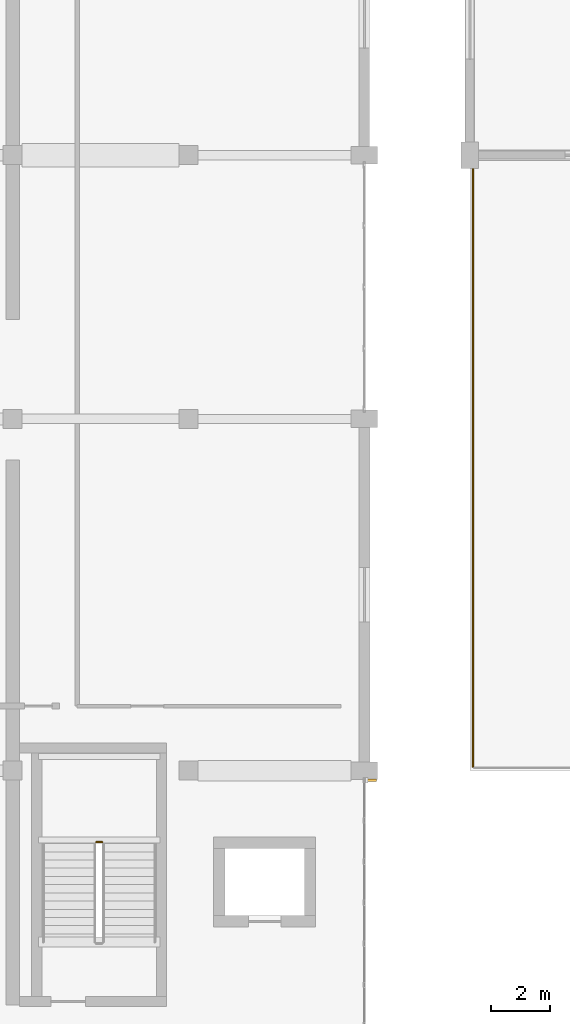
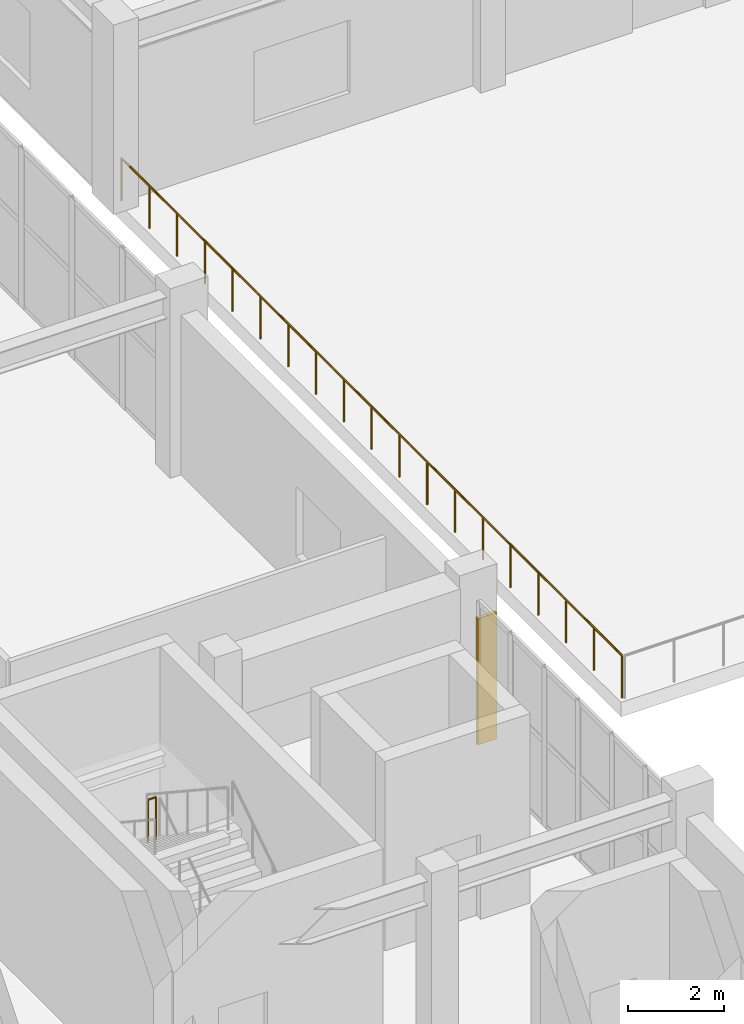
# One storey, part 57 of 62: 2 railings, 1 shading device.
"""IFC4 building model written with IfcOpenShell, lengths in metres."""

from ifc_helpers import new_model, si_unit, direction, frame, origin, origin_2d, place, context, subcontext, project, spatial, rectangle, circle, extrude, material, type_object, element, save


model = new_model("IFC4")

# Units and contexts
model_context = context("Model", 3, precision=1e-05, world=origin(), true_north=direction((0.0, 1.0)))
body_context = subcontext(model_context, "Body", "Model", "MODEL_VIEW")
ifc_project = project(units=[si_unit("LENGTHUNIT", "METRE"), si_unit("AREAUNIT", "SQUARE_METRE"), si_unit("VOLUMEUNIT", "CUBIC_METRE"), si_unit("PLANEANGLEUNIT", "RADIAN"), si_unit("MASSUNIT", "GRAM", prefix="KILO")], contexts=[model_context])

# Site, building, storey
site_placement = place(None, origin())
site = spatial("IfcSite", under=ifc_project, at=site_placement, CompositionType="ELEMENT")
building_placement = place(site_placement, origin())
building = spatial("IfcBuilding", under=site, at=building_placement, Name="Vaelkrest Opera House", CompositionType="ELEMENT")
storey_placement = place(building_placement, frame((0.0, 0.0, 19.800048828125)))
storey = spatial("IfcBuildingStorey", under=building, at=storey_placement, Name="L04", CompositionType="ELEMENT", Elevation=19.800048828125)

# Shading device
ifc_material = material(Name="Dark bronze anodized aluminium", Category="aluminium")
shading_device_type = type_object("IfcShadingDeviceType", Name="FIN01", PredefinedType="USERDEFINED", material=ifc_material)
shading_device_placement = place(storey_placement, frame((30.179931640625, -20.130615234375, 0.421875), z_axis=(0.0, 0.0, 1.0), x_axis=(1.0, 0.0, 0.0)))
element("IfcShadingDevice", 1, at=shading_device_placement, inside=storey, type_object=shading_device_type, Name="Bronze vertical facade fin 08", ObjectType="FIN", PredefinedType="USERDEFINED", context=body_context, shape_type="SweptSolid", body=[
    extrude(rectangle(XDim=0.449951171875, YDim=0.080078125, at=origin_2d()), origin(), (0.0, 0.0, 1.0), 3.199951171875),
])

# Railings
railing_type_1 = type_object("IfcRailingType", Name="GR01", PredefinedType="GUARDRAIL", material=ifc_material)
railing_1_placement = place(storey_placement, frame((33.699951171875, 1.110107421875, 0.0)))
element("IfcRailing", 2, at=railing_1_placement, inside=storey, type_object=railing_type_1, Name="L04 Workshop Roof Garden guardrail seg 1", PredefinedType="GUARDRAIL", context=body_context, shape_type="SweptSolid", body=[
    extrude(circle(Radius=0.02392578125, at=origin_2d()), frame((0.0, 0.0, 1.076171875), z_axis=(0.0, -1.0, 0.0), x_axis=(1.0, 0.0, 0.0)), (0.0, 0.0, 1.0), 20.77001953125),
    extrude(circle(Radius=0.02099609375, at=origin_2d()), origin(), (0.0, 0.0, 1.0), 1.052001953125),
    extrude(circle(Radius=0.02099609375, at=origin_2d()), frame((0.0, -1.15380859375, 0.0)), (0.0, 0.0, 1.0), 1.052001953125),
    extrude(circle(Radius=0.02099609375, at=origin_2d()), frame((0.0, -2.307861328125, 0.0)), (0.0, 0.0, 1.0), 1.052001953125),
    extrude(circle(Radius=0.02099609375, at=origin_2d()), frame((0.0, -3.461669921875, 0.0)), (0.0, 0.0, 1.0), 1.052001953125),
    extrude(circle(Radius=0.02099609375, at=origin_2d()), frame((0.0, -4.615478515625, 0.0)), (0.0, 0.0, 1.0), 1.052001953125),
    extrude(circle(Radius=0.02099609375, at=origin_2d()), frame((0.0, -5.76953125, 0.0)), (0.0, 0.0, 1.0), 1.052001953125),
    extrude(circle(Radius=0.02099609375, at=origin_2d()), frame((0.0, -6.92333984375, 0.0)), (0.0, 0.0, 1.0), 1.052001953125),
    extrude(circle(Radius=0.02099609375, at=origin_2d()), frame((0.0, -8.0771484375, 0.0)), (0.0, 0.0, 1.0), 1.052001953125),
    extrude(circle(Radius=0.02099609375, at=origin_2d()), frame((0.0, -9.231201171875, 0.0)), (0.0, 0.0, 1.0), 1.052001953125),
    extrude(circle(Radius=0.02099609375, at=origin_2d()), frame((0.0, -10.385009765625, 0.0)), (0.0, 0.0, 1.0), 1.052001953125),
    extrude(circle(Radius=0.02099609375, at=origin_2d()), frame((0.0, -11.538818359375, 0.0)), (0.0, 0.0, 1.0), 1.052001953125),
    extrude(circle(Radius=0.02099609375, at=origin_2d()), frame((0.0, -12.69287109375, 0.0)), (0.0, 0.0, 1.0), 1.052001953125),
    extrude(circle(Radius=0.02099609375, at=origin_2d()), frame((0.0, -13.8466796875, 0.0)), (0.0, 0.0, 1.0), 1.052001953125),
    extrude(circle(Radius=0.02099609375, at=origin_2d()), frame((0.0, -15.00048828125, 0.0)), (0.0, 0.0, 1.0), 1.052001953125),
    extrude(circle(Radius=0.02099609375, at=origin_2d()), frame((0.0, -16.154541015625, 0.0)), (0.0, 0.0, 1.0), 1.052001953125),
    extrude(circle(Radius=0.02099609375, at=origin_2d()), frame((0.0, -17.308349609375, 0.0)), (0.0, 0.0, 1.0), 1.052001953125),
    extrude(circle(Radius=0.02099609375, at=origin_2d()), frame((0.0, -18.462158203125, 0.0)), (0.0, 0.0, 1.0), 1.052001953125),
    extrude(circle(Radius=0.02099609375, at=origin_2d()), frame((0.0, -19.6162109375, 0.0)), (0.0, 0.0, 1.0), 1.052001953125),
    extrude(circle(Radius=0.02099609375, at=origin_2d()), frame((0.0, -20.77001953125, 0.0)), (0.0, 0.0, 1.0), 1.052001953125),
])
railing_type_2 = type_object("IfcRailingType", Name="GR02", PredefinedType="GUARDRAIL", material=ifc_material)
railing_2_placement = place(storey_placement, frame((21.050048828125, -22.239990234375, 2.39990234375)))
element("IfcRailing", 3, at=railing_2_placement, inside=storey, type_object=railing_type_2, Name="L04 ST02 stair guard 2", PredefinedType="GUARDRAIL", context=body_context, shape_type="SweptSolid", body=[
    extrude(circle(Radius=0.02392578125, at=origin_2d()), frame((0.0, 0.0, 1.076171875), z_axis=(-1.0, 0.0, 0.0), x_axis=(0.0, -1.0, 0.0)), (0.0, 0.0, 1.0), 0.199951171875),
    extrude(circle(Radius=0.02099609375, at=origin_2d()), origin(), (0.0, 0.0, 1.0), 1.052001953125),
    extrude(circle(Radius=0.02099609375, at=origin_2d()), frame((-0.199951171875, 0.0, 0.0)), (0.0, 0.0, 1.0), 1.052001953125),
])

save(model, "model.ifc")
